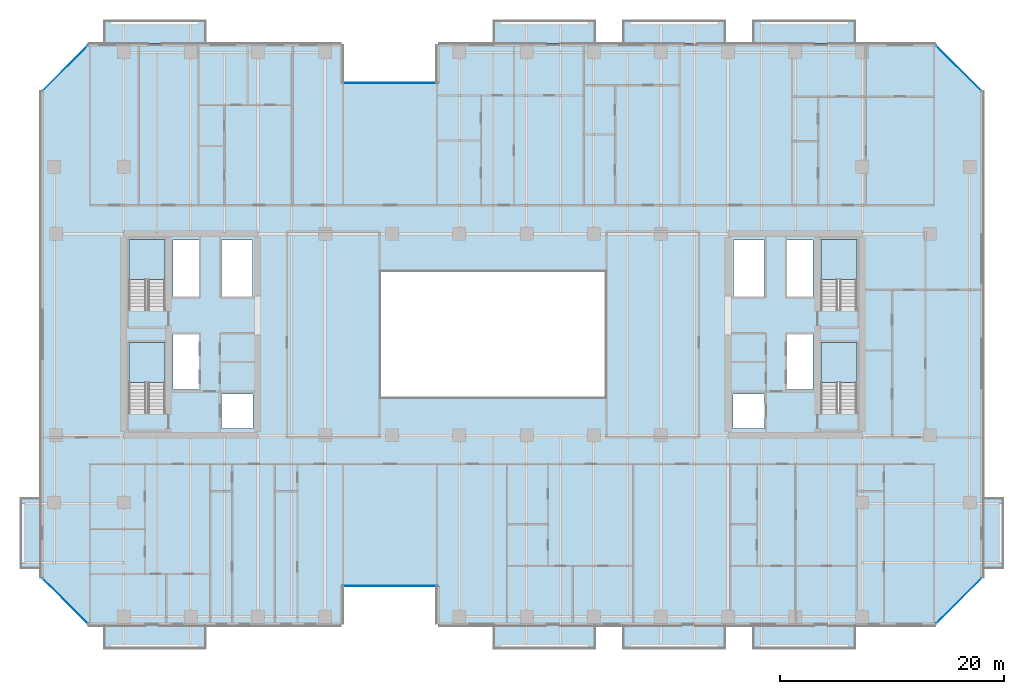
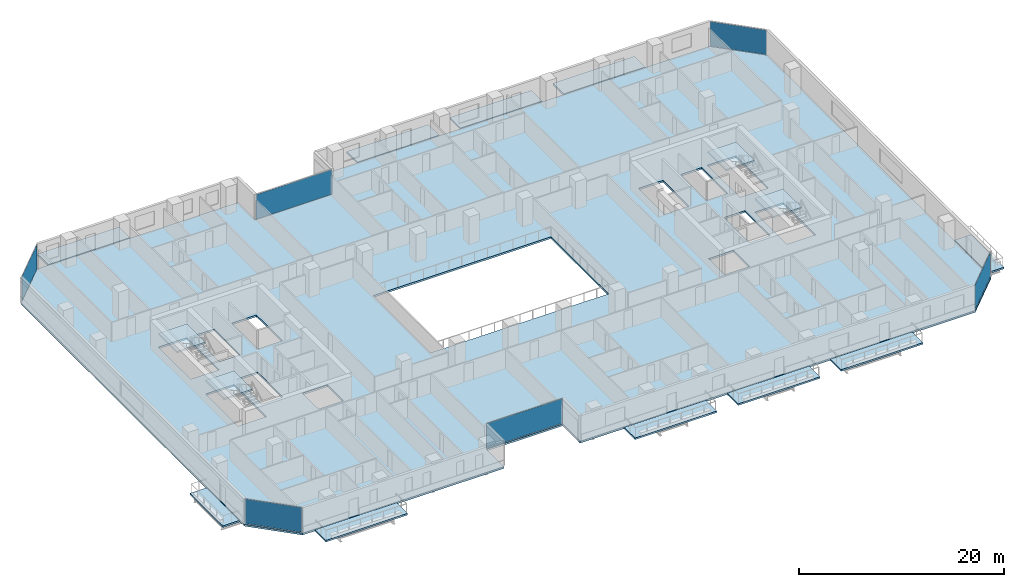
# One storey, part 16 of 33: 15 slabs, 6 plates, 10 elements without a shape of their own.
"""IFC4 building model written with IfcOpenShell, lengths in metres."""

from ifc_helpers import new_model, si_unit, direction, frame, origin, origin_2d, place, context, subcontext, project, spatial, polyline, rectangle, outline, extrude, material, layer, layer_set, type_object, element, aggregate, save


model = new_model("IFC4")

# Units and contexts
model_context = context("Model", 3, precision=1e-05, world=origin(), true_north=direction((0.0, 1.0)))
body_context = subcontext(model_context, "Body", "Model", "MODEL_VIEW")
ifc_project = project(units=[si_unit("LENGTHUNIT", "METRE"), si_unit("AREAUNIT", "SQUARE_METRE"), si_unit("VOLUMEUNIT", "CUBIC_METRE"), si_unit("PLANEANGLEUNIT", "RADIAN"), si_unit("MASSUNIT", "GRAM", prefix="KILO")], contexts=[model_context])

# Site, building, storey
site_placement = place(None, origin())
site = spatial("IfcSite", under=ifc_project, at=site_placement, CompositionType="ELEMENT")
building_placement = place(site_placement, origin())
building = spatial("IfcBuilding", under=site, at=building_placement, Name="Tanjung Sevakor Pilgrim Tower", CompositionType="ELEMENT")
storey_placement = place(building_placement, frame((0.0, 0.0, 38.93994140625)))
storey = spatial("IfcBuildingStorey", under=building, at=storey_placement, Name="L10", CompositionType="ELEMENT", Elevation=38.93994140625)

# Slabs
ifc_material_1 = material(Name="Concrete C40/50", Category="concrete")
ifc_layer_1 = layer(ifc_material_1, 0.199951171875)
ifc_layer_set_1 = layer_set([ifc_layer_1], Name="SL-BAL-200")
slab_type_1 = type_object("IfcSlabType", Name="SL-BAL-200", PredefinedType="FLOOR", material=ifc_layer_set_1)
slab_1_placement = place(storey_placement, frame((0.0, 0.0, -0.199951171875)))
element("IfcSlab", 1, at=slab_1_placement, inside=storey, type_object=slab_type_1, Name="L10 Planted Loggia Balcony MAIN-S1", PredefinedType="FLOOR", context=body_context, shape_type="SweptSolid", body=[
    extrude(outline(polyline([(22.199951171875, 5.5), (31.39990234375, 5.5), (31.39990234375, 7.60009765625), (22.199951171875, 7.60009765625), (22.199951171875, 5.5)])), origin(), (0.0, 0.0, 1.0), 0.199951171875),
])
slab_2_placement = place(storey_placement, frame((0.0, 0.0, -0.199951171875)))
element("IfcSlab", 2, at=slab_2_placement, inside=storey, type_object=slab_type_1, Name="L10 Planted Loggia Balcony MAIN-N1", PredefinedType="FLOOR", context=body_context, shape_type="SweptSolid", body=[
    extrude(outline(polyline([(22.199951171875, 59.60009765625), (31.39990234375, 59.60009765625), (31.39990234375, 61.699951171875), (22.199951171875, 61.699951171875), (22.199951171875, 59.60009765625)])), origin(), (0.0, 0.0, 1.0), 0.199951171875),
])
slab_3_placement = place(storey_placement, frame((0.0, 0.0, -0.199951171875)))
element("IfcSlab", 3, at=slab_3_placement, inside=storey, type_object=slab_type_1, Name="L10 Planted Loggia Balcony MAIN-S2", PredefinedType="FLOOR", context=body_context, shape_type="SweptSolid", body=[
    extrude(outline(polyline([(57.0, 5.5), (66.199951171875, 5.5), (66.199951171875, 7.60009765625), (57.0, 7.60009765625), (57.0, 5.5)])), origin(), (0.0, 0.0, 1.0), 0.199951171875),
])
slab_4_placement = place(storey_placement, frame((0.0, 0.0, -0.199951171875)))
element("IfcSlab", 4, at=slab_4_placement, inside=storey, type_object=slab_type_1, Name="L10 Planted Loggia Balcony MAIN-N2", PredefinedType="FLOOR", context=body_context, shape_type="SweptSolid", body=[
    extrude(outline(polyline([(57.0, 59.60009765625), (66.199951171875, 59.60009765625), (66.199951171875, 61.699951171875), (57.0, 61.699951171875), (57.0, 59.60009765625)])), origin(), (0.0, 0.0, 1.0), 0.199951171875),
])
slab_5_placement = place(storey_placement, frame((0.0, 0.0, -0.199951171875)))
element("IfcSlab", 5, at=slab_5_placement, inside=storey, type_object=slab_type_1, Name="L10 Planted Loggia Balcony MAIN-S3", PredefinedType="FLOOR", context=body_context, shape_type="SweptSolid", body=[
    extrude(outline(polyline([(68.60009765625, 5.5), (77.800048828125, 5.5), (77.800048828125, 7.60009765625), (68.60009765625, 7.60009765625), (68.60009765625, 5.5)])), origin(), (0.0, 0.0, 1.0), 0.199951171875),
])
slab_6_placement = place(storey_placement, frame((0.0, 0.0, -0.199951171875)))
element("IfcSlab", 6, at=slab_6_placement, inside=storey, type_object=slab_type_1, Name="L10 Planted Loggia Balcony MAIN-N3", PredefinedType="FLOOR", context=body_context, shape_type="SweptSolid", body=[
    extrude(outline(polyline([(68.60009765625, 59.60009765625), (77.800048828125, 59.60009765625), (77.800048828125, 61.699951171875), (68.60009765625, 61.699951171875), (68.60009765625, 59.60009765625)])), origin(), (0.0, 0.0, 1.0), 0.199951171875),
])
slab_7_placement = place(storey_placement, frame((0.0, 0.0, -0.199951171875)))
element("IfcSlab", 7, at=slab_7_placement, inside=storey, type_object=slab_type_1, Name="L10 Planted Loggia Balcony MAIN-S4", PredefinedType="FLOOR", context=body_context, shape_type="SweptSolid", body=[
    extrude(outline(polyline([(80.199951171875, 5.5), (89.39990234375, 5.5), (89.39990234375, 7.60009765625), (80.199951171875, 7.60009765625), (80.199951171875, 5.5)])), origin(), (0.0, 0.0, 1.0), 0.199951171875),
])
slab_8_placement = place(storey_placement, frame((0.0, 0.0, -0.199951171875)))
element("IfcSlab", 8, at=slab_8_placement, inside=storey, type_object=slab_type_1, Name="L10 Planted Loggia Balcony MAIN-N4", PredefinedType="FLOOR", context=body_context, shape_type="SweptSolid", body=[
    extrude(outline(polyline([(80.199951171875, 59.60009765625), (89.39990234375, 59.60009765625), (89.39990234375, 61.699951171875), (80.199951171875, 61.699951171875), (80.199951171875, 59.60009765625)])), origin(), (0.0, 0.0, 1.0), 0.199951171875),
])
slab_9_placement = place(storey_placement, frame((0.0, 0.0, -0.199951171875)))
element("IfcSlab", 9, at=slab_9_placement, inside=storey, type_object=slab_type_1, Name="L10 Planted Loggia Balcony MAIN-W1", PredefinedType="FLOOR", context=body_context, shape_type="SweptSolid", body=[
    extrude(outline(polyline([(14.75, 12.64990234375), (16.60009765625, 12.64990234375), (16.60009765625, 19.050048828125), (14.75, 19.050048828125), (14.75, 12.64990234375)])), origin(), (0.0, 0.0, 1.0), 0.199951171875),
])
slab_10_placement = place(storey_placement, frame((0.0, 0.0, -0.199951171875)))
element("IfcSlab", 10, at=slab_10_placement, inside=storey, type_object=slab_type_1, Name="L10 Planted Loggia Balcony MAIN-E1", PredefinedType="FLOOR", context=body_context, shape_type="SweptSolid", body=[
    extrude(outline(polyline([(100.800048828125, 12.64990234375), (102.64990234375, 12.64990234375), (102.64990234375, 19.050048828125), (100.800048828125, 19.050048828125), (100.800048828125, 12.64990234375)])), origin(), (0.0, 0.0, 1.0), 0.199951171875),
])

# Stair, slab
ifc_material_2 = material(Name="Concrete C40/50", Category="concrete")
stair_type = type_object("IfcStairType", Name="STAIR-ST-CR150", PredefinedType="HALF_TURN_STAIR", material=ifc_material_2)
stair_1_placement = place(storey_placement, origin())
stair_1 = element("IfcStair", 11, at=stair_1_placement, inside=storey, type_object=stair_type, Name="L10 West Core Exit Stair 1", PredefinedType="HALF_TURN_STAIR")
ifc_material_3 = material(Name="Concrete C40/50", Category="concrete")
ifc_layer_2 = layer(ifc_material_3, 0.199951171875)
ifc_layer_set_2 = layer_set([ifc_layer_2], Name="SL-LAND-200")
slab_type_2 = type_object("IfcSlabType", Name="SL-LAND-200", PredefinedType="LANDING", material=ifc_layer_set_2)
slab_11_placement = place(storey_placement, frame((0.0, 0.0, 1.449951171875)))
slab_11 = element("IfcSlab", 12, at=slab_11_placement, type_object=slab_type_2, Name="TS-W1 landing 1", PredefinedType="LANDING", context=body_context, shape_type="SweptSolid", body=[
    extrude(outline(polyline([(27.699951171875, 29.300048828125), (27.699951171875, 32.89990234375), (24.5, 32.89990234375), (24.5, 29.300048828125), (27.699951171875, 29.300048828125)])), origin(), (0.0, 0.0, 1.0), 0.2001953125),
])
aggregate(stair_1, [slab_11])

stair_2_placement = place(storey_placement, origin())
stair_2 = element("IfcStair", 13, at=stair_2_placement, inside=storey, type_object=stair_type, Name="L10 West Core Exit Stair 2", PredefinedType="HALF_TURN_STAIR")
slab_12_placement = place(storey_placement, frame((0.0, 0.0, 1.449951171875)))
slab_12 = element("IfcSlab", 14, at=slab_12_placement, type_object=slab_type_2, Name="TS-W2 landing 1", PredefinedType="LANDING", context=body_context, shape_type="SweptSolid", body=[
    extrude(outline(polyline([(27.699951171875, 38.5), (27.699951171875, 42.10009765625), (24.5, 42.10009765625), (24.5, 38.5), (27.699951171875, 38.5)])), origin(), (0.0, 0.0, 1.0), 0.2001953125),
])
aggregate(stair_2, [slab_12])

stair_3_placement = place(storey_placement, origin())
stair_3 = element("IfcStair", 15, at=stair_3_placement, inside=storey, type_object=stair_type, Name="L10 East Core Exit Stair 1", PredefinedType="HALF_TURN_STAIR")
slab_13_placement = place(storey_placement, frame((0.0, 0.0, 1.449951171875)))
slab_13 = element("IfcSlab", 16, at=slab_13_placement, type_object=slab_type_2, Name="TS-E1 landing 1", PredefinedType="LANDING", context=body_context, shape_type="SweptSolid", body=[
    extrude(outline(polyline([(89.5, 29.300048828125), (89.5, 32.89990234375), (86.300048828125, 32.89990234375), (86.300048828125, 29.300048828125), (89.5, 29.300048828125)])), origin(), (0.0, 0.0, 1.0), 0.2001953125),
])
aggregate(stair_3, [slab_13])

stair_4_placement = place(storey_placement, origin())
stair_4 = element("IfcStair", 17, at=stair_4_placement, inside=storey, type_object=stair_type, Name="L10 East Core Exit Stair 2", PredefinedType="HALF_TURN_STAIR")
slab_14_placement = place(storey_placement, frame((0.0, 0.0, 1.449951171875)))
slab_14 = element("IfcSlab", 18, at=slab_14_placement, type_object=slab_type_2, Name="TS-E2 landing 1", PredefinedType="LANDING", context=body_context, shape_type="SweptSolid", body=[
    extrude(outline(polyline([(89.5, 38.5), (89.5, 42.10009765625), (86.300048828125, 42.10009765625), (86.300048828125, 38.5), (89.5, 38.5)])), origin(), (0.0, 0.0, 1.0), 0.2001953125),
])
aggregate(stair_4, [slab_14])

# Slab
ifc_material_4 = material(Name="Concrete C40/50", Category="concrete")
ifc_layer_3 = layer(ifc_material_4, 0.219970703125)
ifc_layer_set_3 = layer_set([ifc_layer_3], Name="SL-TWR-220")
slab_type_3 = type_object("IfcSlabType", Name="SL-TWR-220", PredefinedType="FLOOR", material=ifc_layer_set_3)
slab_15_placement = place(storey_placement, frame((0.0, 0.0, -0.219970703125)))
element("IfcSlab", 19, at=slab_15_placement, inside=storey, type_object=slab_type_3, Name="L10 Floor Slab MAIN", PredefinedType="FLOOR", context=body_context, shape_type="SweptSolid", body=[
    extrude(outline(polyline([(20.846923828125, 7.679931640625), (43.52001953125, 7.679931640625), (43.52001953125, 11.080078125), (52.080078125, 11.080078125), (52.080078125, 7.679931640625), (96.552978515625, 7.679931640625), (100.719970703125, 11.846923828125), (100.719970703125, 55.35302734375), (96.552978515625, 59.52001953125), (52.080078125, 59.52001953125), (52.080078125, 56.1201171875), (43.52001953125, 56.1201171875), (43.52001953125, 59.52001953125), (20.846923828125, 59.52001953125), (16.679931640625, 55.35302734375), (16.679931640625, 11.846923828125), (20.846923828125, 7.679931640625)]), holes=[polyline([(27.699951171875, 26.60009765625), (27.699951171875, 32.89990234375), (24.5, 32.89990234375), (24.5, 26.60009765625), (27.699951171875, 26.60009765625)]), polyline([(27.699951171875, 35.800048828125), (27.699951171875, 42.10009765625), (24.5, 42.10009765625), (24.5, 35.800048828125), (27.699951171875, 35.800048828125)]), polyline([(89.5, 26.60009765625), (89.5, 32.89990234375), (86.300048828125, 32.89990234375), (86.300048828125, 26.60009765625), (89.5, 26.60009765625)]), polyline([(89.5, 35.800048828125), (89.5, 42.10009765625), (86.300048828125, 42.10009765625), (86.300048828125, 35.800048828125), (89.5, 35.800048828125)]), polyline([(32.75, 25.199951171875), (35.550048828125, 25.199951171875), (35.550048828125, 28.300048828125), (32.75, 28.300048828125), (32.75, 25.199951171875)]), polyline([(28.39990234375, 28.699951171875), (30.75, 28.699951171875), (30.75, 33.60009765625), (28.39990234375, 33.60009765625), (28.39990234375, 28.699951171875)]), polyline([(28.39990234375, 37.0), (30.75, 37.0), (30.75, 42.050048828125), (28.39990234375, 42.050048828125), (28.39990234375, 37.0)]), polyline([(32.75, 37.0), (35.5, 37.0), (35.5, 42.050048828125), (32.75, 42.050048828125), (32.75, 37.0)]), polyline([(78.449951171875, 25.199951171875), (81.25, 25.199951171875), (81.25, 28.300048828125), (78.449951171875, 28.300048828125), (78.449951171875, 25.199951171875)]), polyline([(83.25, 28.699951171875), (85.60009765625, 28.699951171875), (85.60009765625, 33.60009765625), (83.25, 33.60009765625), (83.25, 28.699951171875)]), polyline([(83.25, 37.0), (85.60009765625, 37.0), (85.60009765625, 42.050048828125), (83.25, 42.050048828125), (83.25, 37.0)]), polyline([(78.5, 37.0), (81.25, 37.0), (81.25, 42.050048828125), (78.5, 42.050048828125), (78.5, 37.0)]), polyline([(47.0, 28.0), (67.0, 28.0), (67.0, 39.199951171875), (47.0, 39.199951171875), (47.0, 28.0)])]), origin(), (0.0, 0.0, 1.0), 0.219970703125),
])

# Curtain wall, plate
ifc_material_5 = material(Name="Aluminium 6063-T6 and Low-E Glass", Category="aluminium")
ifc_layer_4 = layer(ifc_material_5, 0.179931640625)
ifc_layer_set_4 = layer_set([ifc_layer_4], Name="CW-SYS-CLEFT")
curtain_wall_type_1 = type_object("IfcCurtainWallType", Name="CW-SYS-CLEFT", PredefinedType="NOTDEFINED", material=ifc_layer_set_4)
curtain_wall_1_placement = place(storey_placement, origin())
curtain_wall_1 = element("IfcCurtainWall", 20, at=curtain_wall_1_placement, inside=storey, type_object=curtain_wall_type_1, Name="L10 Curtain Wall CW-CLF-L10-2", PredefinedType="NOTDEFINED")
ifc_material_6 = material(Name="Laminated Low-E Double Glazing", Category="glass")
ifc_layer_5 = layer(ifc_material_6, 0.028076171875)
ifc_layer_set_5 = layer_set([ifc_layer_5], Name="TYPE-CWP-GLZ1")
plate_type = type_object("IfcPlateType", Name="TYPE-CWP-GLZ1", PredefinedType="CURTAIN_PANEL", material=ifc_layer_set_5)
plate_1_placement = place(storey_placement, frame((47.800048828125, 11.139892578125, 0.06494140625), z_axis=(0.0, 0.0, 1.0), x_axis=(1.0, 0.0, 0.0)))
plate_1 = element("IfcPlate", 21, at=plate_1_placement, type_object=plate_type, Name="CW-CLF panel 1.1", PredefinedType="CURTAIN_PANEL", context=body_context, shape_type="SweptSolid", body=[
    extrude(rectangle(XDim=8.530029296875, YDim=0.028076171875, at=origin_2d()), origin(), (0.0, 0.0, 1.0), 2.949951171875),
])
aggregate(curtain_wall_1, [plate_1])

ifc_material_7 = material(Name="Aluminium 6063-T6 and Low-E Glass", Category="aluminium")
ifc_layer_6 = layer(ifc_material_7, 0.179931640625)
ifc_layer_set_6 = layer_set([ifc_layer_6], Name="CW-SYS-CHAM")
curtain_wall_type_2 = type_object("IfcCurtainWallType", Name="CW-SYS-CHAM", PredefinedType="NOTDEFINED", material=ifc_layer_set_6)
curtain_wall_2_placement = place(storey_placement, origin())
curtain_wall_2 = element("IfcCurtainWall", 22, at=curtain_wall_2_placement, inside=storey, type_object=curtain_wall_type_2, Name="L10 Curtain Wall CW-CHM-L10-MAIN-5", PredefinedType="NOTDEFINED")
plate_2_placement = place(storey_placement, frame((98.60107421875, 9.799072265625, 0.06494140625), z_axis=(0.0, 0.0, 1.0), x_axis=(0.707106781187, 0.707106781187, 0.0)))
plate_2 = element("IfcPlate", 23, at=plate_2_placement, type_object=plate_type, Name="CW-CHM panel 1.1", PredefinedType="CURTAIN_PANEL", context=body_context, shape_type="SweptSolid", body=[
    extrude(rectangle(XDim=5.69384765625, YDim=0.028076171875, at=origin_2d()), origin(), (0.0, 0.0, 1.0), 2.949951171875),
])
aggregate(curtain_wall_2, [plate_2])

curtain_wall_3_placement = place(storey_placement, origin())
curtain_wall_3 = element("IfcCurtainWall", 24, at=curtain_wall_3_placement, inside=storey, type_object=curtain_wall_type_2, Name="L10 Curtain Wall CW-CHM-L10-MAIN-7", PredefinedType="NOTDEFINED")
plate_3_placement = place(storey_placement, frame((98.60107421875, 57.40087890625, 0.06494140625), z_axis=(0.0, 0.0, 1.0), x_axis=(-0.707106781187, 0.707106781187, 0.0)))
plate_3 = element("IfcPlate", 25, at=plate_3_placement, type_object=plate_type, Name="CW-CHM panel 1.1", PredefinedType="CURTAIN_PANEL", context=body_context, shape_type="SweptSolid", body=[
    extrude(rectangle(XDim=5.69384765625, YDim=0.028076171875, at=origin_2d()), origin(), (0.0, 0.0, 1.0), 2.949951171875),
])
aggregate(curtain_wall_3, [plate_3])

curtain_wall_4_placement = place(storey_placement, origin())
curtain_wall_4 = element("IfcCurtainWall", 26, at=curtain_wall_4_placement, inside=storey, type_object=curtain_wall_type_1, Name="L10 Curtain Wall CW-CLF-L10-10", PredefinedType="NOTDEFINED")
plate_4_placement = place(storey_placement, frame((47.800048828125, 56.06005859375, 0.06494140625), z_axis=(0.0, 0.0, 1.0), x_axis=(-1.0, 0.0, 0.0)))
plate_4 = element("IfcPlate", 27, at=plate_4_placement, type_object=plate_type, Name="CW-CLF panel 1.1", PredefinedType="CURTAIN_PANEL", context=body_context, shape_type="SweptSolid", body=[
    extrude(rectangle(XDim=8.530029296875, YDim=0.028076171875, at=origin_2d()), origin(), (0.0, 0.0, 1.0), 2.949951171875),
])
aggregate(curtain_wall_4, [plate_4])

curtain_wall_5_placement = place(storey_placement, origin())
curtain_wall_5 = element("IfcCurtainWall", 28, at=curtain_wall_5_placement, inside=storey, type_object=curtain_wall_type_2, Name="L10 Curtain Wall CW-CHM-L10-MAIN-13", PredefinedType="NOTDEFINED")
plate_5_placement = place(storey_placement, frame((18.799072265625, 57.40087890625, 0.06494140625), z_axis=(0.0, 0.0, 1.0), x_axis=(-0.707106781187, -0.707106781187, 0.0)))
plate_5 = element("IfcPlate", 29, at=plate_5_placement, type_object=plate_type, Name="CW-CHM panel 1.1", PredefinedType="CURTAIN_PANEL", context=body_context, shape_type="SweptSolid", body=[
    extrude(rectangle(XDim=5.69384765625, YDim=0.028076171875, at=origin_2d()), origin(), (0.0, 0.0, 1.0), 2.949951171875),
])
aggregate(curtain_wall_5, [plate_5])

curtain_wall_6_placement = place(storey_placement, origin())
curtain_wall_6 = element("IfcCurtainWall", 30, at=curtain_wall_6_placement, inside=storey, type_object=curtain_wall_type_2, Name="L10 Curtain Wall CW-CHM-L10-MAIN-15", PredefinedType="NOTDEFINED")
plate_6_placement = place(storey_placement, frame((18.799072265625, 9.799072265625, 0.06494140625), z_axis=(0.0, 0.0, 1.0), x_axis=(0.707106781187, -0.707106781187, 0.0)))
plate_6 = element("IfcPlate", 31, at=plate_6_placement, type_object=plate_type, Name="CW-CHM panel 1.1", PredefinedType="CURTAIN_PANEL", context=body_context, shape_type="SweptSolid", body=[
    extrude(rectangle(XDim=5.69384765625, YDim=0.028076171875, at=origin_2d()), origin(), (0.0, 0.0, 1.0), 2.949951171875),
])
aggregate(curtain_wall_6, [plate_6])

save(model, "model.ifc")
